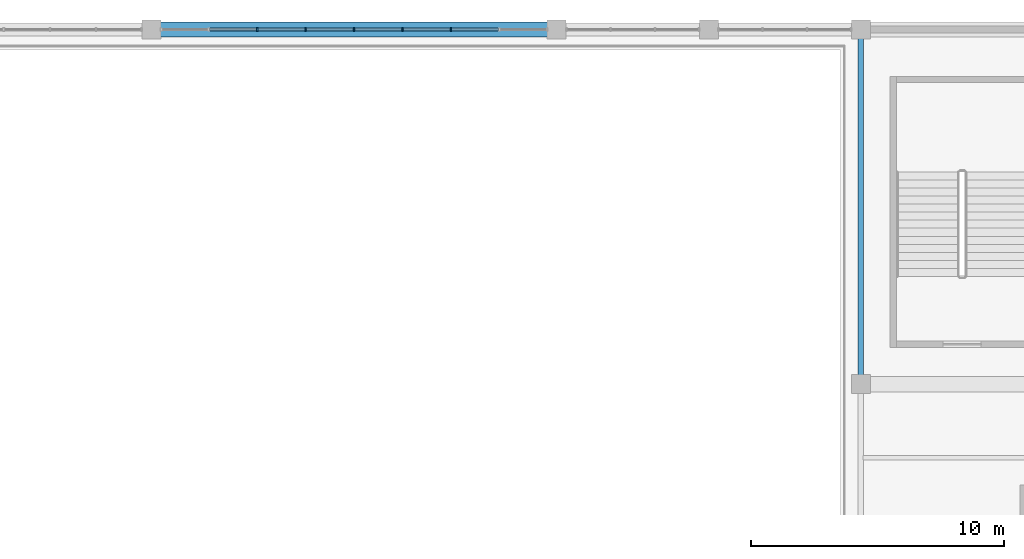
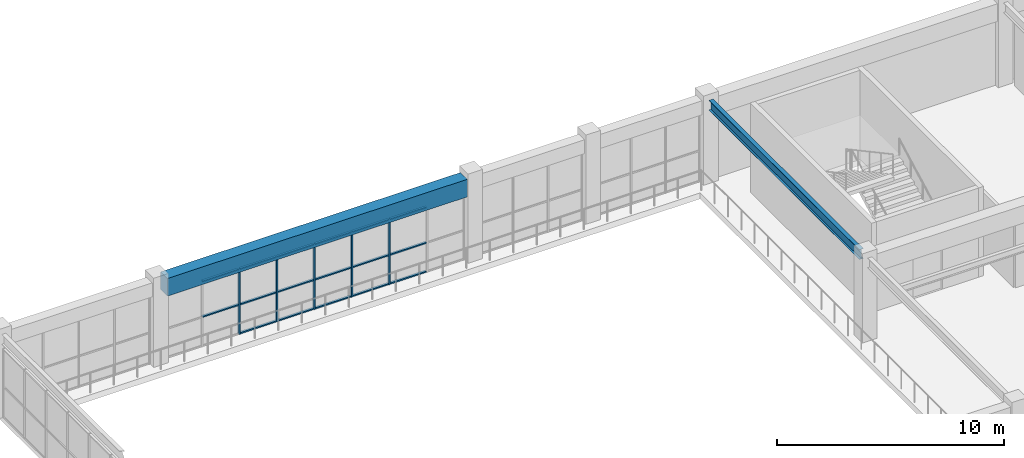
# One storey, part 63 of 112: 22 members, 2 beams, 1 element without a shape of its own.
"""IFC4 building model written with IfcOpenShell, lengths in metres."""

from ifc_helpers import new_model, si_unit, direction, frame, origin, origin_2d, place, context, subcontext, project, spatial, rectangle, i_section, extrude, material, material_profile, profile_set, type_object, element, aggregate, save


model = new_model("IFC4")

# Units and contexts
model_context = context("Model", 3, precision=1e-05, world=origin(), true_north=direction((0.0, 1.0)))
body_context = subcontext(model_context, "Body", "Model", "MODEL_VIEW")
ifc_project = project(units=[si_unit("LENGTHUNIT", "METRE"), si_unit("AREAUNIT", "SQUARE_METRE"), si_unit("VOLUMEUNIT", "CUBIC_METRE"), si_unit("PLANEANGLEUNIT", "RADIAN"), si_unit("MASSUNIT", "GRAM", prefix="KILO")], contexts=[model_context])

# Site, building, storey
site_placement = place(None, origin())
site = spatial("IfcSite", under=ifc_project, at=site_placement, CompositionType="ELEMENT")
building_placement = place(site_placement, origin())
building = spatial("IfcBuilding", under=site, at=building_placement, Name="Cuetzalor Civic Arena", CompositionType="ELEMENT")
storey_placement = place(building_placement, frame((0.0, 0.0, 11.39990234375)))
storey = spatial("IfcBuildingStorey", under=building, at=storey_placement, Name="L02", CompositionType="ELEMENT", Elevation=11.39990234375)

# Beam
ifc_material_1 = material(Name="Concrete C40/50", Category="concrete")
ifc_material_profile_1 = material_profile(ifc_material_1, rectangle(XDim=0.60009765625, YDim=0.949951171875, at=origin_2d()), Name="RC 600x950")
ifc_profile_set_1 = profile_set([ifc_material_profile_1], Name="Concrete C40/50")
beam_type_1 = type_object("IfcBeamType", Name="ConcreteFrameBeam_600x950", PredefinedType="BEAM", material=ifc_profile_set_1)
beam_1_placement = place(storey_placement, frame((-63.635009765625, 75.5, 4.005126953125), z_axis=(1.0, 0.0, 0.0), x_axis=(0.0, 1.0, 0.0)))
element("IfcBeam", 1, at=beam_1_placement, inside=storey, type_object=beam_type_1, Name="Frame Girder V5-L02-X0809", PredefinedType="BEAM", context=body_context, shape_type="SweptSolid", body=[
    extrude(rectangle(XDim=0.60009765625, YDim=0.949951171875, at=origin_2d()), origin(), (0.0, 0.0, 1.0), 15.27001953125),
])

# Curtain wall, members
ifc_material_2 = material(Name="Anodised dark bronze aluminium and low-E solar glass", Category="aluminium")
curtain_wall_type = type_object("IfcCurtainWallType", Name="StickCW_15300x3500", PredefinedType="USERDEFINED", material=ifc_material_2)
curtain_wall_placement = place(storey_placement, origin())
curtain_wall = element("IfcCurtainWall", 2, at=curtain_wall_placement, inside=storey, type_object=curtain_wall_type, Name="Practice Court North-Light Curtain Wall L02-158", ObjectType="STICK CURTAIN WALL", PredefinedType="USERDEFINED")
ifc_material_3 = material(Name="Anodised dark bronze aluminium", Category="aluminium")
ifc_material_profile_2 = material_profile(ifc_material_3, rectangle(XDim=0.06494140625, YDim=0.14990234375, at=origin_2d()), Name="ALU MULLION 65x150")
ifc_profile_set_2 = profile_set([ifc_material_profile_2], Name="Anodised dark bronze aluminium")
member_type_1 = type_object("IfcMemberType", Name="CurtainWallMullion_60x150", PredefinedType="MULLION", material=ifc_profile_set_2)
member_1_placement = place(storey_placement, frame((-59.821533203125, 75.5, 0.0), z_axis=(0.0, 0.0, 1.0), x_axis=(1.0, 0.0, 0.0)))
member_1 = element("IfcMember", 3, at=member_1_placement, type_object=member_type_1, Name="CW-52 mullion 3", PredefinedType="MULLION", context=body_context, shape_type="SweptSolid", body=[
    extrude(rectangle(XDim=0.06494140625, YDim=0.14990234375, at=origin_2d()), origin(), (0.0, 0.0, 1.0), 3.52001953125),
])
member_2_placement = place(storey_placement, frame((-57.91064453125, 75.5, 0.0), z_axis=(0.0, 0.0, 1.0), x_axis=(1.0, 0.0, 0.0)))
member_2 = element("IfcMember", 4, at=member_2_placement, type_object=member_type_1, Name="CW-52 mullion 4", PredefinedType="MULLION", context=body_context, shape_type="SweptSolid", body=[
    extrude(rectangle(XDim=0.06494140625, YDim=0.14990234375, at=origin_2d()), origin(), (0.0, 0.0, 1.0), 3.52001953125),
])
member_3_placement = place(storey_placement, frame((-56.0, 75.5, 0.0), z_axis=(0.0, 0.0, 1.0), x_axis=(1.0, 0.0, 0.0)))
member_3 = element("IfcMember", 5, at=member_3_placement, type_object=member_type_1, Name="CW-52 mullion 5", PredefinedType="MULLION", context=body_context, shape_type="SweptSolid", body=[
    extrude(rectangle(XDim=0.06494140625, YDim=0.14990234375, at=origin_2d()), origin(), (0.0, 0.0, 1.0), 3.52001953125),
])
member_4_placement = place(storey_placement, frame((-54.08935546875, 75.5, 0.0), z_axis=(0.0, 0.0, 1.0), x_axis=(1.0, 0.0, 0.0)))
member_4 = element("IfcMember", 6, at=member_4_placement, type_object=member_type_1, Name="CW-52 mullion 6", PredefinedType="MULLION", context=body_context, shape_type="SweptSolid", body=[
    extrude(rectangle(XDim=0.06494140625, YDim=0.14990234375, at=origin_2d()), origin(), (0.0, 0.0, 1.0), 3.52001953125),
])
member_5_placement = place(storey_placement, frame((-52.178466796875, 75.5, 0.0), z_axis=(0.0, 0.0, 1.0), x_axis=(1.0, 0.0, 0.0)))
member_5 = element("IfcMember", 7, at=member_5_placement, type_object=member_type_1, Name="CW-52 mullion 7", PredefinedType="MULLION", context=body_context, shape_type="SweptSolid", body=[
    extrude(rectangle(XDim=0.06494140625, YDim=0.14990234375, at=origin_2d()), origin(), (0.0, 0.0, 1.0), 3.52001953125),
])
ifc_material_4 = material(Name="Anodised dark bronze aluminium", Category="aluminium")
ifc_material_profile_3 = material_profile(ifc_material_4, rectangle(XDim=0.1201171875, YDim=0.06494140625, at=origin_2d()), Name="ALU TRANSOM 65x120")
ifc_profile_set_3 = profile_set([ifc_material_profile_3], Name="Anodised dark bronze aluminium")
member_type_2 = type_object("IfcMemberType", Name="CurtainWallTransom_60x120", PredefinedType="USERDEFINED", material=ifc_profile_set_3)
member_6_placement = place(storey_placement, frame((-61.69970703125, 75.5, 1.583984375), z_axis=(1.0, 0.0, 0.0), x_axis=(0.0, 1.0, 0.0)))
member_6 = element("IfcMember", 8, at=member_6_placement, type_object=member_type_2, Name="CW-52 transom 2.2", ObjectType="TRANSOM", PredefinedType="USERDEFINED", context=body_context, shape_type="SweptSolid", body=[
    extrude(rectangle(XDim=0.1201171875, YDim=0.06494140625, at=origin_2d()), origin(), (0.0, 0.0, 1.0), 1.845703125),
])
member_7_placement = place(storey_placement, frame((-61.69970703125, 75.5, 3.487548828125), z_axis=(1.0, 0.0, 0.0), x_axis=(0.0, 1.0, 0.0)))
member_7 = element("IfcMember", 9, at=member_7_placement, type_object=member_type_2, Name="CW-52 transom 2.3", ObjectType="TRANSOM", PredefinedType="USERDEFINED", context=body_context, shape_type="SweptSolid", body=[
    extrude(rectangle(XDim=0.1201171875, YDim=0.06494140625, at=origin_2d()), origin(), (0.0, 0.0, 1.0), 1.845703125),
])
member_8_placement = place(storey_placement, frame((-59.7890625, 75.5, 0.03271484375), z_axis=(1.0, 0.0, 0.0), x_axis=(0.0, 1.0, 0.0)))
member_8 = element("IfcMember", 10, at=member_8_placement, type_object=member_type_2, Name="CW-52 transom 3.1", ObjectType="TRANSOM", PredefinedType="USERDEFINED", context=body_context, shape_type="SweptSolid", body=[
    extrude(rectangle(XDim=0.1201171875, YDim=0.06494140625, at=origin_2d()), origin(), (0.0, 0.0, 1.0), 1.845703125),
])
member_9_placement = place(storey_placement, frame((-59.7890625, 75.5, 1.583984375), z_axis=(1.0, 0.0, 0.0), x_axis=(0.0, 1.0, 0.0)))
member_9 = element("IfcMember", 11, at=member_9_placement, type_object=member_type_2, Name="CW-52 transom 3.2", ObjectType="TRANSOM", PredefinedType="USERDEFINED", context=body_context, shape_type="SweptSolid", body=[
    extrude(rectangle(XDim=0.1201171875, YDim=0.06494140625, at=origin_2d()), origin(), (0.0, 0.0, 1.0), 1.845703125),
])
member_10_placement = place(storey_placement, frame((-59.7890625, 75.5, 3.487548828125), z_axis=(1.0, 0.0, 0.0), x_axis=(0.0, 1.0, 0.0)))
member_10 = element("IfcMember", 12, at=member_10_placement, type_object=member_type_2, Name="CW-52 transom 3.3", ObjectType="TRANSOM", PredefinedType="USERDEFINED", context=body_context, shape_type="SweptSolid", body=[
    extrude(rectangle(XDim=0.1201171875, YDim=0.06494140625, at=origin_2d()), origin(), (0.0, 0.0, 1.0), 1.845703125),
])
member_11_placement = place(storey_placement, frame((-57.878173828125, 75.5, 0.03271484375), z_axis=(1.0, 0.0, 0.0), x_axis=(0.0, 1.0, 0.0)))
member_11 = element("IfcMember", 13, at=member_11_placement, type_object=member_type_2, Name="CW-52 transom 4.1", ObjectType="TRANSOM", PredefinedType="USERDEFINED", context=body_context, shape_type="SweptSolid", body=[
    extrude(rectangle(XDim=0.1201171875, YDim=0.06494140625, at=origin_2d()), origin(), (0.0, 0.0, 1.0), 1.845703125),
])
member_12_placement = place(storey_placement, frame((-57.878173828125, 75.5, 1.583984375), z_axis=(1.0, 0.0, 0.0), x_axis=(0.0, 1.0, 0.0)))
member_12 = element("IfcMember", 14, at=member_12_placement, type_object=member_type_2, Name="CW-52 transom 4.2", ObjectType="TRANSOM", PredefinedType="USERDEFINED", context=body_context, shape_type="SweptSolid", body=[
    extrude(rectangle(XDim=0.1201171875, YDim=0.06494140625, at=origin_2d()), origin(), (0.0, 0.0, 1.0), 1.845703125),
])
member_13_placement = place(storey_placement, frame((-57.878173828125, 75.5, 3.487548828125), z_axis=(1.0, 0.0, 0.0), x_axis=(0.0, 1.0, 0.0)))
member_13 = element("IfcMember", 15, at=member_13_placement, type_object=member_type_2, Name="CW-52 transom 4.3", ObjectType="TRANSOM", PredefinedType="USERDEFINED", context=body_context, shape_type="SweptSolid", body=[
    extrude(rectangle(XDim=0.1201171875, YDim=0.06494140625, at=origin_2d()), origin(), (0.0, 0.0, 1.0), 1.845703125),
])
member_14_placement = place(storey_placement, frame((-55.967529296875, 75.5, 0.03271484375), z_axis=(1.0, 0.0, 0.0), x_axis=(0.0, 1.0, 0.0)))
member_14 = element("IfcMember", 16, at=member_14_placement, type_object=member_type_2, Name="CW-52 transom 5.1", ObjectType="TRANSOM", PredefinedType="USERDEFINED", context=body_context, shape_type="SweptSolid", body=[
    extrude(rectangle(XDim=0.1201171875, YDim=0.06494140625, at=origin_2d()), origin(), (0.0, 0.0, 1.0), 1.845703125),
])
member_15_placement = place(storey_placement, frame((-55.967529296875, 75.5, 1.583984375), z_axis=(1.0, 0.0, 0.0), x_axis=(0.0, 1.0, 0.0)))
member_15 = element("IfcMember", 17, at=member_15_placement, type_object=member_type_2, Name="CW-52 transom 5.2", ObjectType="TRANSOM", PredefinedType="USERDEFINED", context=body_context, shape_type="SweptSolid", body=[
    extrude(rectangle(XDim=0.1201171875, YDim=0.06494140625, at=origin_2d()), origin(), (0.0, 0.0, 1.0), 1.845703125),
])
member_16_placement = place(storey_placement, frame((-55.967529296875, 75.5, 3.487548828125), z_axis=(1.0, 0.0, 0.0), x_axis=(0.0, 1.0, 0.0)))
member_16 = element("IfcMember", 18, at=member_16_placement, type_object=member_type_2, Name="CW-52 transom 5.3", ObjectType="TRANSOM", PredefinedType="USERDEFINED", context=body_context, shape_type="SweptSolid", body=[
    extrude(rectangle(XDim=0.1201171875, YDim=0.06494140625, at=origin_2d()), origin(), (0.0, 0.0, 1.0), 1.845703125),
])
member_17_placement = place(storey_placement, frame((-54.056640625, 75.5, 0.03271484375), z_axis=(1.0, 0.0, 0.0), x_axis=(0.0, 1.0, 0.0)))
member_17 = element("IfcMember", 19, at=member_17_placement, type_object=member_type_2, Name="CW-52 transom 6.1", ObjectType="TRANSOM", PredefinedType="USERDEFINED", context=body_context, shape_type="SweptSolid", body=[
    extrude(rectangle(XDim=0.1201171875, YDim=0.06494140625, at=origin_2d()), origin(), (0.0, 0.0, 1.0), 1.845703125),
])
member_18_placement = place(storey_placement, frame((-54.056640625, 75.5, 1.583984375), z_axis=(1.0, 0.0, 0.0), x_axis=(0.0, 1.0, 0.0)))
member_18 = element("IfcMember", 20, at=member_18_placement, type_object=member_type_2, Name="CW-52 transom 6.2", ObjectType="TRANSOM", PredefinedType="USERDEFINED", context=body_context, shape_type="SweptSolid", body=[
    extrude(rectangle(XDim=0.1201171875, YDim=0.06494140625, at=origin_2d()), origin(), (0.0, 0.0, 1.0), 1.845703125),
])
member_19_placement = place(storey_placement, frame((-54.056640625, 75.5, 3.487548828125), z_axis=(1.0, 0.0, 0.0), x_axis=(0.0, 1.0, 0.0)))
member_19 = element("IfcMember", 21, at=member_19_placement, type_object=member_type_2, Name="CW-52 transom 6.3", ObjectType="TRANSOM", PredefinedType="USERDEFINED", context=body_context, shape_type="SweptSolid", body=[
    extrude(rectangle(XDim=0.1201171875, YDim=0.06494140625, at=origin_2d()), origin(), (0.0, 0.0, 1.0), 1.845703125),
])
member_20_placement = place(storey_placement, frame((-52.14599609375, 75.5, 0.03271484375), z_axis=(1.0, 0.0, 0.0), x_axis=(0.0, 1.0, 0.0)))
member_20 = element("IfcMember", 22, at=member_20_placement, type_object=member_type_2, Name="CW-52 transom 7.1", ObjectType="TRANSOM", PredefinedType="USERDEFINED", context=body_context, shape_type="SweptSolid", body=[
    extrude(rectangle(XDim=0.1201171875, YDim=0.06494140625, at=origin_2d()), origin(), (0.0, 0.0, 1.0), 1.845703125),
])
member_21_placement = place(storey_placement, frame((-52.14599609375, 75.5, 1.583984375), z_axis=(1.0, 0.0, 0.0), x_axis=(0.0, 1.0, 0.0)))
member_21 = element("IfcMember", 23, at=member_21_placement, type_object=member_type_2, Name="CW-52 transom 7.2", ObjectType="TRANSOM", PredefinedType="USERDEFINED", context=body_context, shape_type="SweptSolid", body=[
    extrude(rectangle(XDim=0.1201171875, YDim=0.06494140625, at=origin_2d()), origin(), (0.0, 0.0, 1.0), 1.845703125),
])
member_22_placement = place(storey_placement, frame((-52.14599609375, 75.5, 3.487548828125), z_axis=(1.0, 0.0, 0.0), x_axis=(0.0, 1.0, 0.0)))
member_22 = element("IfcMember", 24, at=member_22_placement, type_object=member_type_2, Name="CW-52 transom 7.3", ObjectType="TRANSOM", PredefinedType="USERDEFINED", context=body_context, shape_type="SweptSolid", body=[
    extrude(rectangle(XDim=0.1201171875, YDim=0.06494140625, at=origin_2d()), origin(), (0.0, 0.0, 1.0), 1.845703125),
])
aggregate(curtain_wall, [member_1, member_2, member_3, member_4, member_5, member_6, member_7, member_8, member_9, member_10, member_11, member_12, member_13, member_14, member_15, member_16, member_17, member_18, member_19, member_20, member_21, member_22])

# Beam
ifc_material_5 = material(Name="Steel S355", Category="steel")
ifc_material_profile_4 = material_profile(ifc_material_5, i_section(OverallWidth=0.208984375, OverallDepth=0.532958984375, WebThickness=0.01025390625, FlangeThickness=0.015625, at=origin_2d()), Name="W530x92")
ifc_profile_set_4 = profile_set([ifc_material_profile_4], Name="Steel S355")
beam_type_2 = type_object("IfcBeamType", Name="SteelCollarGirder_W530", PredefinedType="BEAM", material=ifc_profile_set_4)
beam_2_placement = place(storey_placement, frame((-36.0, 61.864990234375, 4.213623046875), z_axis=(0.0, 1.0, 0.0), x_axis=(-1.0, 0.0, 0.0)))
element("IfcBeam", 25, at=beam_2_placement, inside=storey, type_object=beam_type_2, Name="Frame Girder V5-L02-Y0829", PredefinedType="BEAM", context=body_context, shape_type="SweptSolid", body=[
    extrude(i_section(OverallWidth=0.208984375, OverallDepth=0.532958984375, WebThickness=0.01025390625, FlangeThickness=0.015625, at=origin_2d()), origin(), (0.0, 0.0, 1.0), 13.27001953125),
])

save(model, "model.ifc")
